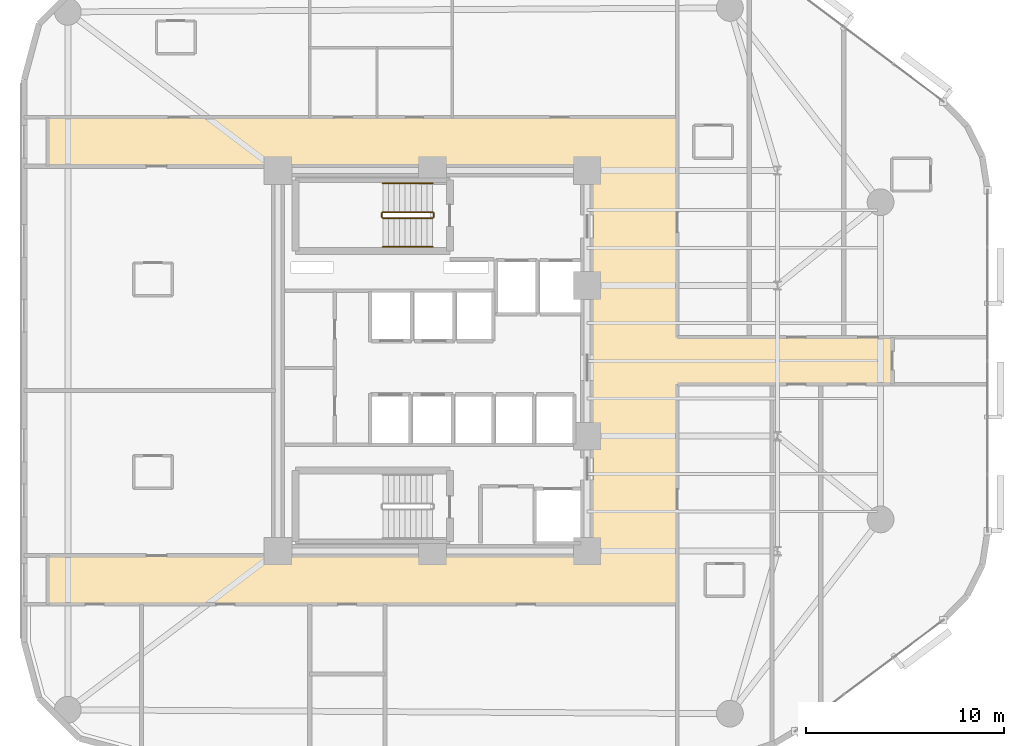
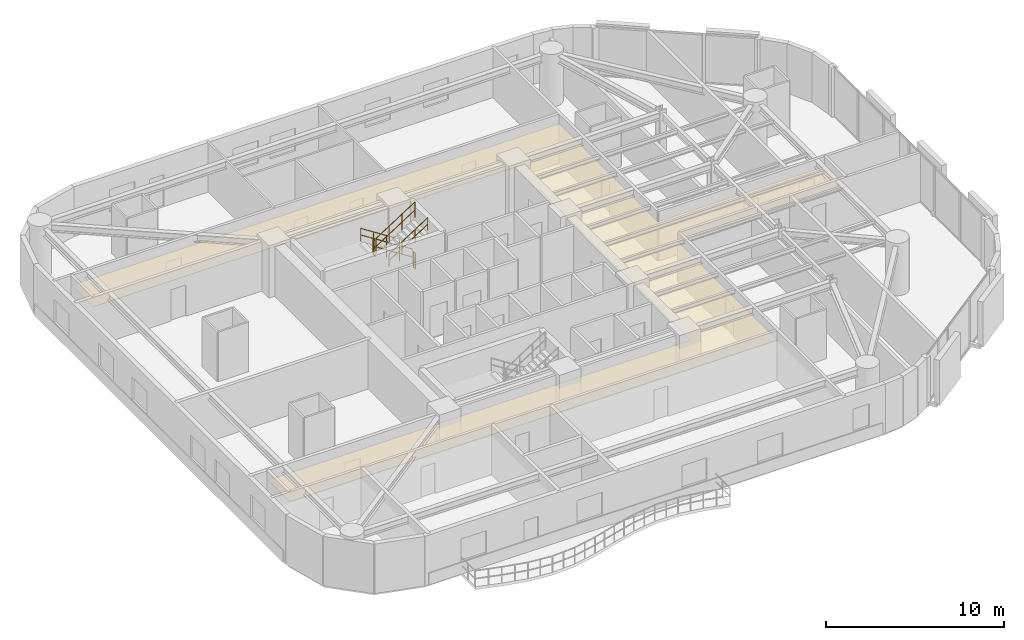
# One storey, part 15 of 16: 6 railings, 1 covering.
"""IFC4 building model written with IfcOpenShell, lengths in metres."""

from ifc_helpers import new_model, si_unit, direction, frame, origin, origin_2d, place, context, subcontext, project, spatial, polyline, circle, outline, extrude, material, layer, layer_set, type_object, element, save


model = new_model("IFC4")

# Units and contexts
model_context = context("Model", 3, precision=1e-05, world=origin(), true_north=direction((0.0, 1.0)))
body_context = subcontext(model_context, "Body", "Model", "MODEL_VIEW")
ifc_project = project(units=[si_unit("LENGTHUNIT", "METRE"), si_unit("AREAUNIT", "SQUARE_METRE"), si_unit("VOLUMEUNIT", "CUBIC_METRE"), si_unit("PLANEANGLEUNIT", "RADIAN"), si_unit("MASSUNIT", "GRAM", prefix="KILO")], contexts=[model_context])

# Site, building, storey
site_placement = place(None, origin())
site = spatial("IfcSite", under=ifc_project, at=site_placement, CompositionType="ELEMENT")
building_placement = place(site_placement, origin())
building = spatial("IfcBuilding", under=site, at=building_placement, Name="An Khanh Terracotta Commons", CompositionType="ELEMENT")
storey_placement = place(building_placement, frame((0.0, 0.0, 89.89990234375)))
storey = spatial("IfcBuildingStorey", under=building, at=storey_placement, Name="L23", CompositionType="ELEMENT", Elevation=89.89990234375)

# Covering
ifc_material_1 = material(Name="Perforated Mineral-Fibre Acoustic Tile")
ifc_layer = layer(ifc_material_1, 0.02001953125, Name="Perforated Mineral-Fibre Acoustic Tile")
ifc_layer_set = layer_set([ifc_layer], Name="Perforated Mineral-Fibre Acoustic Tile")
covering_type = type_object("IfcCoveringType", Name="CEIL-ACOUSTIC-18", PredefinedType="CEILING", material=ifc_layer_set)
covering_placement = place(storey_placement, frame((0.0, 0.0, 2.650146484375)))
element("IfcCovering", 1, at=covering_placement, inside=storey, type_object=covering_type, Name="L23 Corridor Ceiling", PredefinedType="CEILING", context=body_context, shape_type="SweptSolid", body=[
    extrude(outline(polyline([(10.0, 11.719970703125), (10.0, 14.179931640625), (37.5, 14.179931640625), (37.5, 33.820068359375), (10.0, 33.820068359375), (10.0, 36.280029296875), (37.5, 36.280029296875), (41.75, 36.280029296875), (41.75, 33.820068359375), (41.75, 25.179931640625), (52.60009765625, 25.179931640625), (52.60009765625, 22.820068359375), (41.75, 22.820068359375), (41.75, 14.179931640625), (41.75, 11.719970703125), (37.5, 11.719970703125), (10.0, 11.719970703125)])), origin(), (0.0, 0.0, 1.0), 0.02001953125),
])

# Railings
ifc_material_2 = material(Name="Brushed Stainless Steel 316", Category="steel")
railing_type_1 = type_object("IfcRailingType", Name="RAIL-HANDRAIL-900", PredefinedType="HANDRAIL", material=ifc_material_2)
railing_1_placement = place(storey_placement, frame((29.409912109375, 32.949951171875, 0.18017578125)))
element("IfcRailing", 2, at=railing_1_placement, inside=storey, type_object=railing_type_1, Name="L23 ST-01 stair handrail 1", PredefinedType="HANDRAIL", context=body_context, shape_type="SweptSolid", body=[
    extrude(circle(Radius=0.02392578125, at=origin_2d()), frame((0.0, 0.0, 0.8759765625), z_axis=(-0.841199657755, 0.0, 0.540724639528), x_axis=(0.0, -1.0, 0.0)), (0.0, 0.0, 1.0), 2.995849609375),
    extrude(circle(Radius=0.02392578125, at=origin_2d()), frame((0.0, 0.0, 0.42578125), z_axis=(-0.841199657755, 0.0, 0.540724639528), x_axis=(0.0, -1.0, 0.0)), (0.0, 0.0, 1.0), 2.995849609375),
    extrude(circle(Radius=0.02099609375, at=origin_2d()), origin(), (0.0, 0.0, 1.0), 0.851806640625),
    extrude(circle(Radius=0.02099609375, at=origin_2d()), frame((-0.840087890625, 0.0, 0.5400390625)), (0.0, 0.0, 1.0), 0.851806640625),
    extrude(circle(Radius=0.02099609375, at=origin_2d()), frame((-1.679931640625, 0.0, 1.079833984375)), (0.0, 0.0, 1.0), 0.851806640625),
    extrude(circle(Radius=0.02099609375, at=origin_2d()), frame((-2.52001953125, 0.0, 1.619873046875)), (0.0, 0.0, 1.0), 0.851806640625),
])
railing_2_placement = place(storey_placement, frame((26.889892578125, 29.75, 1.97998046875)))
element("IfcRailing", 3, at=railing_2_placement, inside=storey, type_object=railing_type_1, Name="L23 ST-01 stair handrail 2", PredefinedType="HANDRAIL", context=body_context, shape_type="SweptSolid", body=[
    extrude(circle(Radius=0.02392578125, at=origin_2d()), frame((0.0, 0.0, 0.8759765625), z_axis=(0.841162588446, 0.0, 0.540782303519), x_axis=(0.0, 1.0, 0.0)), (0.0, 0.0, 1.0), 2.995849609375),
    extrude(circle(Radius=0.02392578125, at=origin_2d()), frame((0.0, 0.0, 0.42578125), z_axis=(0.841162588446, 0.0, 0.540782303519), x_axis=(0.0, 1.0, 0.0)), (0.0, 0.0, 1.0), 2.995849609375),
    extrude(circle(Radius=0.02099609375, at=origin_2d()), origin(), (0.0, 0.0, 1.0), 0.851806640625),
    extrude(circle(Radius=0.02099609375, at=origin_2d()), frame((0.840087890625, 0.0, 0.5400390625)), (0.0, 0.0, 1.0), 0.851806640625),
    extrude(circle(Radius=0.02099609375, at=origin_2d()), frame((1.679931640625, 0.0, 1.080078125)), (0.0, 0.0, 1.0), 0.851806640625),
    extrude(circle(Radius=0.02099609375, at=origin_2d()), frame((2.52001953125, 0.0, 1.6201171875)), (0.0, 0.0, 1.0), 0.851806640625),
])
ifc_material_3 = material(Name="Powder-Coated Steel S355J2", Category="steel")
railing_type_2 = type_object("IfcRailingType", Name="RAIL-STAIR-GUARD-1100", PredefinedType="BALUSTRADE", material=ifc_material_3)
railing_3_placement = place(storey_placement, frame((29.409912109375, 31.5, 0.18017578125)))
element("IfcRailing", 4, at=railing_3_placement, inside=storey, type_object=railing_type_2, Name="L23 ST-01 stair guard 1", PredefinedType="BALUSTRADE", context=body_context, shape_type="SweptSolid", body=[
    extrude(circle(Radius=0.02392578125, at=origin_2d()), frame((0.0, 0.0, 1.076171875), z_axis=(-0.841199657755, 0.0, 0.540724639528), x_axis=(0.0, -1.0, 0.0)), (0.0, 0.0, 1.0), 2.995849609375),
    extrude(circle(Radius=0.02392578125, at=origin_2d()), frame((0.0, 0.0, 0.52587890625), z_axis=(-0.841199657755, 0.0, 0.540724639528), x_axis=(0.0, -1.0, 0.0)), (0.0, 0.0, 1.0), 2.995849609375),
    extrude(circle(Radius=0.02099609375, at=origin_2d()), origin(), (0.0, 0.0, 1.0), 1.052001953125),
    extrude(circle(Radius=0.02099609375, at=origin_2d()), frame((-0.840087890625, 0.0, 0.5400390625)), (0.0, 0.0, 1.0), 1.052001953125),
    extrude(circle(Radius=0.02099609375, at=origin_2d()), frame((-1.679931640625, 0.0, 1.079833984375)), (0.0, 0.0, 1.0), 1.052001953125),
    extrude(circle(Radius=0.02099609375, at=origin_2d()), frame((-2.52001953125, 0.0, 1.619873046875)), (0.0, 0.0, 1.0), 1.052001953125),
])
railing_4_placement = place(storey_placement, frame((26.840087890625, 31.449951171875, 1.800048828125)))
element("IfcRailing", 5, at=railing_4_placement, inside=storey, type_object=railing_type_2, Name="L23 ST-01 stair guard 2", PredefinedType="BALUSTRADE", context=body_context, shape_type="SweptSolid", body=[
    extrude(circle(Radius=0.02392578125, at=origin_2d()), frame((0.0, 0.0, 1.076171875), z_axis=(0.0, -1.0, 0.0), x_axis=(1.0, 0.0, 0.0)), (0.0, 0.0, 1.0), 0.199951171875),
    extrude(circle(Radius=0.02392578125, at=origin_2d()), frame((0.0, 0.0, 0.52587890625), z_axis=(0.0, -1.0, 0.0), x_axis=(1.0, 0.0, 0.0)), (0.0, 0.0, 1.0), 0.199951171875),
    extrude(circle(Radius=0.02099609375, at=origin_2d()), origin(), (0.0, 0.0, 1.0), 1.052001953125),
    extrude(circle(Radius=0.02099609375, at=origin_2d()), frame((0.0, -0.199951171875, 0.0)), (0.0, 0.0, 1.0), 1.052001953125),
])
railing_5_placement = place(storey_placement, frame((26.889892578125, 31.199951171875, 1.97998046875)))
element("IfcRailing", 6, at=railing_5_placement, inside=storey, type_object=railing_type_2, Name="L23 ST-01 stair guard 3", PredefinedType="BALUSTRADE", context=body_context, shape_type="SweptSolid", body=[
    extrude(circle(Radius=0.02392578125, at=origin_2d()), frame((0.0, 0.0, 1.076171875), z_axis=(0.841162588446, 0.0, 0.540782303519), x_axis=(0.0, 1.0, 0.0)), (0.0, 0.0, 1.0), 2.995849609375),
    extrude(circle(Radius=0.02392578125, at=origin_2d()), frame((0.0, 0.0, 0.52587890625), z_axis=(0.841162588446, 0.0, 0.540782303519), x_axis=(0.0, 1.0, 0.0)), (0.0, 0.0, 1.0), 2.995849609375),
    extrude(circle(Radius=0.02099609375, at=origin_2d()), origin(), (0.0, 0.0, 1.0), 1.052001953125),
    extrude(circle(Radius=0.02099609375, at=origin_2d()), frame((0.840087890625, 0.0, 0.5400390625)), (0.0, 0.0, 1.0), 1.052001953125),
    extrude(circle(Radius=0.02099609375, at=origin_2d()), frame((1.679931640625, 0.0, 1.080078125)), (0.0, 0.0, 1.0), 1.052001953125),
    extrude(circle(Radius=0.02099609375, at=origin_2d()), frame((2.52001953125, 0.0, 1.6201171875)), (0.0, 0.0, 1.0), 1.052001953125),
])
railing_6_placement = place(storey_placement, frame((29.4599609375, 31.449951171875, 0.0)))
element("IfcRailing", 7, at=railing_6_placement, inside=storey, type_object=railing_type_2, Name="L23 ST-01 stair guard 4", PredefinedType="BALUSTRADE", context=body_context, shape_type="SweptSolid", body=[
    extrude(circle(Radius=0.02392578125, at=origin_2d()), frame((0.0, 0.0, 1.076171875), z_axis=(0.0, -1.0, 0.0), x_axis=(1.0, 0.0, 0.0)), (0.0, 0.0, 1.0), 0.199951171875),
    extrude(circle(Radius=0.02392578125, at=origin_2d()), frame((0.0, 0.0, 0.52587890625), z_axis=(0.0, -1.0, 0.0), x_axis=(1.0, 0.0, 0.0)), (0.0, 0.0, 1.0), 0.199951171875),
    extrude(circle(Radius=0.02099609375, at=origin_2d()), origin(), (0.0, 0.0, 1.0), 1.052001953125),
    extrude(circle(Radius=0.02099609375, at=origin_2d()), frame((0.0, -0.199951171875, 0.0)), (0.0, 0.0, 1.0), 1.052001953125),
])

save(model, "model.ifc")
